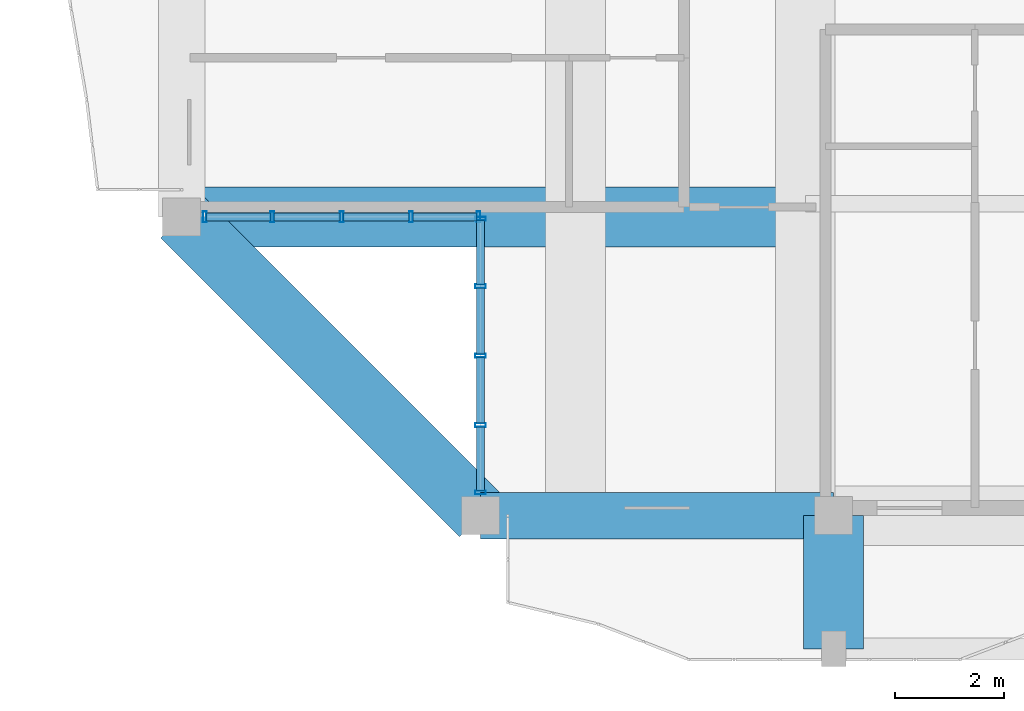
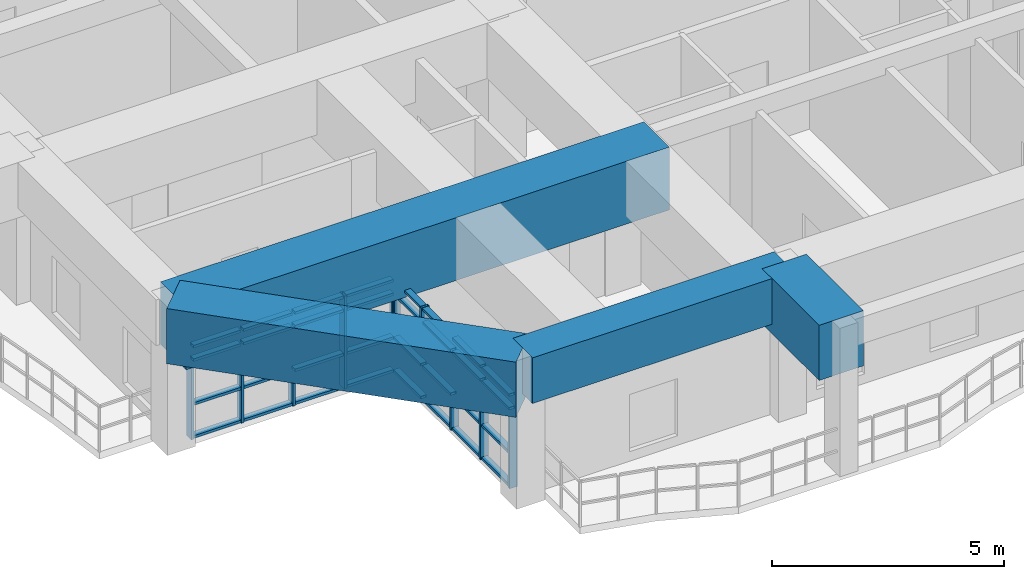
# One storey, part 2 of 22: 42 members, 4 beams, 2 elements without a shape of their own.
"""IFC4 building model written with IfcOpenShell, lengths in metres."""

from ifc_helpers import new_model, si_unit, direction, frame, origin, origin_2d, place, context, subcontext, project, spatial, rectangle, hollow_rectangle, extrude, source, transform, mapped, material, layer, layer_set, material_profile, profile_set, type_object, element, aggregate, save


model = new_model("IFC4")

# Units and contexts
model_context = context("Model", 3, precision=1e-05, world=origin(), true_north=direction((0.0, 1.0)))
body_context = subcontext(model_context, "Body", "Model", "MODEL_VIEW")
ifc_project = project(units=[si_unit("LENGTHUNIT", "METRE"), si_unit("AREAUNIT", "SQUARE_METRE"), si_unit("VOLUMEUNIT", "CUBIC_METRE"), si_unit("PLANEANGLEUNIT", "RADIAN"), si_unit("MASSUNIT", "GRAM", prefix="KILO")], contexts=[model_context])

# Site, building, storey
site_placement = place(None, origin())
site = spatial("IfcSite", under=ifc_project, at=site_placement, CompositionType="ELEMENT")
building_placement = place(site_placement, origin())
building = spatial("IfcBuilding", under=site, at=building_placement, Name="Saelheon Loggia Tower", CompositionType="ELEMENT")
storey_placement = place(building_placement, frame((0.0, 0.0, 216.300048828125)))
storey = spatial("IfcBuildingStorey", under=building, at=storey_placement, Name="L67", CompositionType="ELEMENT", Elevation=216.300048828125)

# Beams
ifc_material_1 = material(Name="Concrete C50/60", Category="concrete")
ifc_material_profile_1 = material_profile(ifc_material_1, rectangle(XDim=1.10009765625, YDim=1.449951171875, at=origin_2d()), Name="RC-1100x1450")
ifc_profile_set_1 = profile_set([ifc_material_profile_1], Name="Concrete C50/60")
beam_type_1 = type_object("IfcBeamType", Name="Beam_PerimTransfer_RC1100x1450", PredefinedType="BEAM", material=ifc_profile_set_1)
shared_shape_1 = source(origin(), body_context, "Body", "SweptSolid", [
    extrude(rectangle(XDim=1.10009765625, YDim=1.449951171875, at=origin_2d()), origin(), (0.0, 0.0, 1.0), 2.449951171875),
])
beam_1_placement = place(storey_placement, frame((31.5, 6.0, 3.175048828125), z_axis=(0.0, -1.0, 0.0), x_axis=(1.0, 0.0, 0.0)))
element("IfcBeam", 1, at=beam_1_placement, inside=storey, type_object=beam_type_1, Name="L67 Loggia Frame Tie Beam LP-S1", PredefinedType="BEAM", context=body_context, shape_type="MappedRepresentation", body=[
    mapped(shared_shape_1, transform((0.0, 0.0, 0.0), scale=1.0)),
])
ifc_material_profile_2 = material_profile(ifc_material_1, rectangle(XDim=0.85009765625, YDim=1.199951171875, at=origin_2d()), Name="RC-850x1200")
ifc_profile_set_2 = profile_set([ifc_material_profile_2], Name="Concrete C50/60")
beam_type_2 = type_object("IfcBeamType", Name="Beam_CornerShoulder_RC850x1200", PredefinedType="BEAM", material=ifc_profile_set_2)
shared_shape_2 = source(origin(), body_context, "Body", "SweptSolid", [
    extrude(rectangle(XDim=0.85009765625, YDim=1.199951171875, at=origin_2d()), origin(), (0.0, 0.0, 1.0), 6.5),
])
beam_2_placement = place(storey_placement, frame((25.0, 6.0, 3.300048828125), z_axis=(1.0, 0.0, 0.0), x_axis=(0.0, 1.0, 0.0)))
element("IfcBeam", 2, at=beam_2_placement, inside=storey, type_object=beam_type_2, Name="L67 Corner Shoulder Beam 01", PredefinedType="BEAM", context=body_context, shape_type="MappedRepresentation", body=[
    mapped(shared_shape_2, transform((0.0, 0.0, 0.0), scale=1.0)),
])
shared_shape_3 = source(origin(), body_context, "Body", "SweptSolid", [
    extrude(rectangle(XDim=1.10009765625, YDim=1.449951171875, at=origin_2d()), origin(), (0.0, 0.0, 1.0), 7.778076171875),
])
beam_3_placement = place(storey_placement, frame((19.5, 11.5, 3.175048828125), z_axis=(0.707106781187, -0.707106781187, 0.0), x_axis=(0.707106781187, 0.707106781187, 0.0)))
element("IfcBeam", 3, at=beam_3_placement, inside=storey, type_object=beam_type_1, Name="L67 Perimeter Frame Girder 16", PredefinedType="BEAM", context=body_context, shape_type="MappedRepresentation", body=[
    mapped(shared_shape_3, transform((0.0, 0.0, 0.0), scale=1.0)),
])
ifc_material_profile_3 = material_profile(ifc_material_1, rectangle(XDim=1.10009765625, YDim=1.64990234375, at=origin_2d()), Name="RC-1100x1650")
ifc_profile_set_3 = profile_set([ifc_material_profile_3], Name="Concrete C50/60")
beam_type_3 = type_object("IfcBeamType", Name="Beam_MegaTransfer_RC1100x1650", PredefinedType="BEAM", material=ifc_profile_set_3)
shared_shape_4 = source(origin(), body_context, "Body", "SweptSolid", [
    extrude(rectangle(XDim=1.10009765625, YDim=1.64990234375, at=origin_2d()), origin(), (0.0, 0.0, 1.0), 12.0),
])
beam_4_placement = place(storey_placement, frame((19.5, 11.5, 3.074951171875), z_axis=(1.0, 0.0, 0.0), x_axis=(0.0, 1.0, 0.0)))
element("IfcBeam", 4, at=beam_4_placement, inside=storey, type_object=beam_type_3, Name="TG-L67-SH-SW", PredefinedType="BEAM", context=body_context, shape_type="MappedRepresentation", body=[
    mapped(shared_shape_4, transform((0.0, 0.0, 0.0), scale=1.0)),
])

# Curtain wall, members
ifc_material_2 = material(Name="High-Wind Aluminium and Triple Laminated Glass", Category="aluminium")
ifc_layer = layer(ifc_material_2, 0.179931640625)
ifc_layer_set = layer_set([ifc_layer], Name="High-Wind Aluminium and Triple Laminated Glass")
curtain_wall_type = type_object("IfcCurtainWallType", Name="CW_TowerLoggiaHigh", PredefinedType="NOTDEFINED", material=ifc_layer_set)
curtain_wall_1_placement = place(storey_placement, origin())
curtain_wall_1 = element("IfcCurtainWall", 5, at=curtain_wall_1_placement, inside=storey, type_object=curtain_wall_type, Name="L67 Corner Notch Glazing SW1", PredefinedType="NOTDEFINED")
ifc_material_3 = material(Name="Anodised Aluminium 6063-T6", Category="aluminium")
ifc_material_profile_4 = material_profile(ifc_material_3, hollow_rectangle(XDim=0.070068359375, YDim=0.199951171875, WallThickness=0.0048828125, at=origin_2d()), Name="RHS-200x70x5")
ifc_profile_set_4 = profile_set([ifc_material_profile_4], Name="Anodised Aluminium 6063-T6")
member_type_1 = type_object("IfcMemberType", Name="CW_TowerLoggiaHigh_Mullion", PredefinedType="MULLION", material=ifc_profile_set_4)
shared_shape_5 = source(origin(), body_context, "Body", "SweptSolid", [
    extrude(hollow_rectangle(XDim=0.070068359375, YDim=0.199951171875, WallThickness=0.0048828125, at=origin_2d()), origin(), (0.0, 0.0, 1.0), 2.43994140625),
])
member_1_placement = place(storey_placement, frame((25.0, 6.425048828125, 0.0), z_axis=(0.0, 0.0, 1.0), x_axis=(0.0, 1.0, 0.0)))
member_1 = element("IfcMember", 6, at=member_1_placement, type_object=member_type_1, Name="CW4 mullion 1", PredefinedType="MULLION", context=body_context, shape_type="MappedRepresentation", body=[
    mapped(shared_shape_5, transform((0.0, 0.0, 0.0), scale=1.0)),
])
member_2_placement = place(storey_placement, frame((25.0, 7.66748046875, 0.0), z_axis=(0.0, 0.0, 1.0), x_axis=(0.0, 1.0, 0.0)))
member_2 = element("IfcMember", 7, at=member_2_placement, type_object=member_type_1, Name="CW4 mullion 2", PredefinedType="MULLION", context=body_context, shape_type="MappedRepresentation", body=[
    mapped(shared_shape_5, transform((0.0, 0.0, 0.0), scale=1.0)),
])
member_3_placement = place(storey_placement, frame((25.0, 8.945068359375, 0.0), z_axis=(0.0, 0.0, 1.0), x_axis=(0.0, 1.0, 0.0)))
member_3 = element("IfcMember", 8, at=member_3_placement, type_object=member_type_1, Name="CW4 mullion 3", PredefinedType="MULLION", context=body_context, shape_type="MappedRepresentation", body=[
    mapped(shared_shape_5, transform((0.0, 0.0, 0.0), scale=1.0)),
])
member_4_placement = place(storey_placement, frame((25.0, 10.222412109375, 0.0), z_axis=(0.0, 0.0, 1.0), x_axis=(0.0, 1.0, 0.0)))
member_4 = element("IfcMember", 9, at=member_4_placement, type_object=member_type_1, Name="CW4 mullion 4", PredefinedType="MULLION", context=body_context, shape_type="MappedRepresentation", body=[
    mapped(shared_shape_5, transform((0.0, 0.0, 0.0), scale=1.0)),
])
member_5_placement = place(storey_placement, frame((25.0, 11.465087890625, 0.0), z_axis=(0.0, 0.0, 1.0), x_axis=(0.0, 1.0, 0.0)))
member_5 = element("IfcMember", 10, at=member_5_placement, type_object=member_type_1, Name="CW4 mullion 5", PredefinedType="MULLION", context=body_context, shape_type="MappedRepresentation", body=[
    mapped(shared_shape_5, transform((0.0, 0.0, 0.0), scale=1.0)),
])

curtain_wall_2_placement = place(storey_placement, origin())
curtain_wall_2 = element("IfcCurtainWall", 11, at=curtain_wall_2_placement, inside=storey, type_object=curtain_wall_type, Name="L67 Corner Notch Glazing SW2", PredefinedType="NOTDEFINED")
member_6_placement = place(storey_placement, frame((19.925048828125, 11.5, 0.0), z_axis=(0.0, 0.0, 1.0), x_axis=(1.0, 0.0, 0.0)))
member_6 = element("IfcMember", 12, at=member_6_placement, type_object=member_type_1, Name="CW4 mullion 1", PredefinedType="MULLION", context=body_context, shape_type="MappedRepresentation", body=[
    mapped(shared_shape_5, transform((0.0, 0.0, 0.0), scale=1.0)),
])
member_7_placement = place(storey_placement, frame((21.16748046875, 11.5, 0.0), z_axis=(0.0, 0.0, 1.0), x_axis=(1.0, 0.0, 0.0)))
member_7 = element("IfcMember", 13, at=member_7_placement, type_object=member_type_1, Name="CW4 mullion 2", PredefinedType="MULLION", context=body_context, shape_type="MappedRepresentation", body=[
    mapped(shared_shape_5, transform((0.0, 0.0, 0.0), scale=1.0)),
])
member_8_placement = place(storey_placement, frame((22.445068359375, 11.5, 0.0), z_axis=(0.0, 0.0, 1.0), x_axis=(1.0, 0.0, 0.0)))
member_8 = element("IfcMember", 14, at=member_8_placement, type_object=member_type_1, Name="CW4 mullion 3", PredefinedType="MULLION", context=body_context, shape_type="MappedRepresentation", body=[
    mapped(shared_shape_5, transform((0.0, 0.0, 0.0), scale=1.0)),
])
member_9_placement = place(storey_placement, frame((23.722412109375, 11.5, 0.0), z_axis=(0.0, 0.0, 1.0), x_axis=(1.0, 0.0, 0.0)))
member_9 = element("IfcMember", 15, at=member_9_placement, type_object=member_type_1, Name="CW4 mullion 4", PredefinedType="MULLION", context=body_context, shape_type="MappedRepresentation", body=[
    mapped(shared_shape_5, transform((0.0, 0.0, 0.0), scale=1.0)),
])
member_10_placement = place(storey_placement, frame((24.965087890625, 11.5, 0.0), z_axis=(0.0, 0.0, 1.0), x_axis=(1.0, 0.0, 0.0)))
member_10 = element("IfcMember", 16, at=member_10_placement, type_object=member_type_1, Name="CW4 mullion 5", PredefinedType="MULLION", context=body_context, shape_type="MappedRepresentation", body=[
    mapped(shared_shape_5, transform((0.0, 0.0, 0.0), scale=1.0)),
])

# Member
ifc_material_profile_5 = material_profile(ifc_material_3, hollow_rectangle(XDim=0.070068359375, YDim=0.14990234375, WallThickness=0.0048828125, at=origin_2d()), Name="RHS-150x70x5")
ifc_profile_set_5 = profile_set([ifc_material_profile_5], Name="Anodised Aluminium 6063-T6")
member_type_2 = type_object("IfcMemberType", Name="CW_TowerLoggiaHigh_Transom", PredefinedType="USERDEFINED", material=ifc_profile_set_5)
shared_shape_6 = source(origin(), body_context, "Body", "SweptSolid", [
    extrude(hollow_rectangle(XDim=0.070068359375, YDim=0.14990234375, WallThickness=0.0048828125, at=origin_2d()), origin(), (0.0, 0.0, 1.0), 1.172607421875),
])
member_11_placement = place(storey_placement, frame((25.0, 6.4599609375, 0.034912109375), z_axis=(0.0, 1.0, 0.0), x_axis=(0.0, 0.0, 1.0)))
member_11 = element("IfcMember", 17, at=member_11_placement, type_object=member_type_2, Name="CW4 transom 1.1", ObjectType="TRANSOM", PredefinedType="USERDEFINED", context=body_context, shape_type="MappedRepresentation", body=[
    mapped(shared_shape_6, transform((0.0, 0.0, 0.0), scale=1.0)),
])

member_12_placement = place(storey_placement, frame((25.0, 6.4599609375, 0.89990234375), z_axis=(0.0, 1.0, 0.0), x_axis=(0.0, 0.0, 1.0)))
member_12 = element("IfcMember", 18, at=member_12_placement, type_object=member_type_2, Name="CW4 transom 1.2", ObjectType="TRANSOM", PredefinedType="USERDEFINED", context=body_context, shape_type="MappedRepresentation", body=[
    mapped(shared_shape_6, transform((0.0, 0.0, 0.0), scale=1.0)),
])

member_13_placement = place(storey_placement, frame((25.0, 6.4599609375, 2.050048828125), z_axis=(0.0, 1.0, 0.0), x_axis=(0.0, 0.0, 1.0)))
member_13 = element("IfcMember", 19, at=member_13_placement, type_object=member_type_2, Name="CW4 transom 1.3", ObjectType="TRANSOM", PredefinedType="USERDEFINED", context=body_context, shape_type="MappedRepresentation", body=[
    mapped(shared_shape_6, transform((0.0, 0.0, 0.0), scale=1.0)),
])

member_14_placement = place(storey_placement, frame((25.0, 6.4599609375, 2.405029296875), z_axis=(0.0, 1.0, 0.0), x_axis=(0.0, 0.0, 1.0)))
member_14 = element("IfcMember", 20, at=member_14_placement, type_object=member_type_2, Name="CW4 transom 1.4", ObjectType="TRANSOM", PredefinedType="USERDEFINED", context=body_context, shape_type="MappedRepresentation", body=[
    mapped(shared_shape_6, transform((0.0, 0.0, 0.0), scale=1.0)),
])

member_15_placement = place(storey_placement, frame((19.9599609375, 11.5, 0.034912109375), z_axis=(1.0, 0.0, 0.0), x_axis=(0.0, 0.0, 1.0)))
member_15 = element("IfcMember", 21, at=member_15_placement, type_object=member_type_2, Name="CW4 transom 1.1", ObjectType="TRANSOM", PredefinedType="USERDEFINED", context=body_context, shape_type="MappedRepresentation", body=[
    mapped(shared_shape_6, transform((0.0, 0.0, 0.0), scale=1.0)),
])

member_16_placement = place(storey_placement, frame((19.9599609375, 11.5, 0.89990234375), z_axis=(1.0, 0.0, 0.0), x_axis=(0.0, 0.0, 1.0)))
member_16 = element("IfcMember", 22, at=member_16_placement, type_object=member_type_2, Name="CW4 transom 1.2", ObjectType="TRANSOM", PredefinedType="USERDEFINED", context=body_context, shape_type="MappedRepresentation", body=[
    mapped(shared_shape_6, transform((0.0, 0.0, 0.0), scale=1.0)),
])

member_17_placement = place(storey_placement, frame((19.9599609375, 11.5, 2.050048828125), z_axis=(1.0, 0.0, 0.0), x_axis=(0.0, 0.0, 1.0)))
member_17 = element("IfcMember", 23, at=member_17_placement, type_object=member_type_2, Name="CW4 transom 1.3", ObjectType="TRANSOM", PredefinedType="USERDEFINED", context=body_context, shape_type="MappedRepresentation", body=[
    mapped(shared_shape_6, transform((0.0, 0.0, 0.0), scale=1.0)),
])

member_18_placement = place(storey_placement, frame((19.9599609375, 11.5, 2.405029296875), z_axis=(1.0, 0.0, 0.0), x_axis=(0.0, 0.0, 1.0)))
member_18 = element("IfcMember", 24, at=member_18_placement, type_object=member_type_2, Name="CW4 transom 1.4", ObjectType="TRANSOM", PredefinedType="USERDEFINED", context=body_context, shape_type="MappedRepresentation", body=[
    mapped(shared_shape_6, transform((0.0, 0.0, 0.0), scale=1.0)),
])

shared_shape_7 = source(origin(), body_context, "Body", "SweptSolid", [
    extrude(hollow_rectangle(XDim=0.070068359375, YDim=0.14990234375, WallThickness=0.0048828125, at=origin_2d()), origin(), (0.0, 0.0, 1.0), 1.20751953125),
])
member_19_placement = place(storey_placement, frame((25.0, 7.702392578125, 0.034912109375), z_axis=(0.0, 1.0, 0.0), x_axis=(0.0, 0.0, 1.0)))
member_19 = element("IfcMember", 25, at=member_19_placement, type_object=member_type_2, Name="CW4 transom 2.1", ObjectType="TRANSOM", PredefinedType="USERDEFINED", context=body_context, shape_type="MappedRepresentation", body=[
    mapped(shared_shape_7, transform((0.0, 0.0, 0.0), scale=1.0)),
])

member_20_placement = place(storey_placement, frame((25.0, 7.702392578125, 0.89990234375), z_axis=(0.0, 1.0, 0.0), x_axis=(0.0, 0.0, 1.0)))
member_20 = element("IfcMember", 26, at=member_20_placement, type_object=member_type_2, Name="CW4 transom 2.2", ObjectType="TRANSOM", PredefinedType="USERDEFINED", context=body_context, shape_type="MappedRepresentation", body=[
    mapped(shared_shape_7, transform((0.0, 0.0, 0.0), scale=1.0)),
])

member_21_placement = place(storey_placement, frame((25.0, 7.702392578125, 2.050048828125), z_axis=(0.0, 1.0, 0.0), x_axis=(0.0, 0.0, 1.0)))
member_21 = element("IfcMember", 27, at=member_21_placement, type_object=member_type_2, Name="CW4 transom 2.3", ObjectType="TRANSOM", PredefinedType="USERDEFINED", context=body_context, shape_type="MappedRepresentation", body=[
    mapped(shared_shape_7, transform((0.0, 0.0, 0.0), scale=1.0)),
])

member_22_placement = place(storey_placement, frame((25.0, 7.702392578125, 2.405029296875), z_axis=(0.0, 1.0, 0.0), x_axis=(0.0, 0.0, 1.0)))
member_22 = element("IfcMember", 28, at=member_22_placement, type_object=member_type_2, Name="CW4 transom 2.4", ObjectType="TRANSOM", PredefinedType="USERDEFINED", context=body_context, shape_type="MappedRepresentation", body=[
    mapped(shared_shape_7, transform((0.0, 0.0, 0.0), scale=1.0)),
])

member_23_placement = place(storey_placement, frame((25.0, 8.97998046875, 0.034912109375), z_axis=(0.0, 1.0, 0.0), x_axis=(0.0, 0.0, 1.0)))
member_23 = element("IfcMember", 29, at=member_23_placement, type_object=member_type_2, Name="CW4 transom 3.1", ObjectType="TRANSOM", PredefinedType="USERDEFINED", context=body_context, shape_type="MappedRepresentation", body=[
    mapped(shared_shape_7, transform((0.0, 0.0, 0.0), scale=1.0)),
])

member_24_placement = place(storey_placement, frame((25.0, 8.97998046875, 0.89990234375), z_axis=(0.0, 1.0, 0.0), x_axis=(0.0, 0.0, 1.0)))
member_24 = element("IfcMember", 30, at=member_24_placement, type_object=member_type_2, Name="CW4 transom 3.2", ObjectType="TRANSOM", PredefinedType="USERDEFINED", context=body_context, shape_type="MappedRepresentation", body=[
    mapped(shared_shape_7, transform((0.0, 0.0, 0.0), scale=1.0)),
])

member_25_placement = place(storey_placement, frame((25.0, 8.97998046875, 2.050048828125), z_axis=(0.0, 1.0, 0.0), x_axis=(0.0, 0.0, 1.0)))
member_25 = element("IfcMember", 31, at=member_25_placement, type_object=member_type_2, Name="CW4 transom 3.3", ObjectType="TRANSOM", PredefinedType="USERDEFINED", context=body_context, shape_type="MappedRepresentation", body=[
    mapped(shared_shape_7, transform((0.0, 0.0, 0.0), scale=1.0)),
])

member_26_placement = place(storey_placement, frame((25.0, 8.97998046875, 2.405029296875), z_axis=(0.0, 1.0, 0.0), x_axis=(0.0, 0.0, 1.0)))
member_26 = element("IfcMember", 32, at=member_26_placement, type_object=member_type_2, Name="CW4 transom 3.4", ObjectType="TRANSOM", PredefinedType="USERDEFINED", context=body_context, shape_type="MappedRepresentation", body=[
    mapped(shared_shape_7, transform((0.0, 0.0, 0.0), scale=1.0)),
])

member_27_placement = place(storey_placement, frame((21.202392578125, 11.5, 0.034912109375), z_axis=(1.0, 0.0, 0.0), x_axis=(0.0, 0.0, 1.0)))
member_27 = element("IfcMember", 33, at=member_27_placement, type_object=member_type_2, Name="CW4 transom 2.1", ObjectType="TRANSOM", PredefinedType="USERDEFINED", context=body_context, shape_type="MappedRepresentation", body=[
    mapped(shared_shape_7, transform((0.0, 0.0, 0.0), scale=1.0)),
])

member_28_placement = place(storey_placement, frame((21.202392578125, 11.5, 0.89990234375), z_axis=(1.0, 0.0, 0.0), x_axis=(0.0, 0.0, 1.0)))
member_28 = element("IfcMember", 34, at=member_28_placement, type_object=member_type_2, Name="CW4 transom 2.2", ObjectType="TRANSOM", PredefinedType="USERDEFINED", context=body_context, shape_type="MappedRepresentation", body=[
    mapped(shared_shape_7, transform((0.0, 0.0, 0.0), scale=1.0)),
])

member_29_placement = place(storey_placement, frame((21.202392578125, 11.5, 2.050048828125), z_axis=(1.0, 0.0, 0.0), x_axis=(0.0, 0.0, 1.0)))
member_29 = element("IfcMember", 35, at=member_29_placement, type_object=member_type_2, Name="CW4 transom 2.3", ObjectType="TRANSOM", PredefinedType="USERDEFINED", context=body_context, shape_type="MappedRepresentation", body=[
    mapped(shared_shape_7, transform((0.0, 0.0, 0.0), scale=1.0)),
])

member_30_placement = place(storey_placement, frame((21.202392578125, 11.5, 2.405029296875), z_axis=(1.0, 0.0, 0.0), x_axis=(0.0, 0.0, 1.0)))
member_30 = element("IfcMember", 36, at=member_30_placement, type_object=member_type_2, Name="CW4 transom 2.4", ObjectType="TRANSOM", PredefinedType="USERDEFINED", context=body_context, shape_type="MappedRepresentation", body=[
    mapped(shared_shape_7, transform((0.0, 0.0, 0.0), scale=1.0)),
])

member_31_placement = place(storey_placement, frame((22.47998046875, 11.5, 0.034912109375), z_axis=(1.0, 0.0, 0.0), x_axis=(0.0, 0.0, 1.0)))
member_31 = element("IfcMember", 37, at=member_31_placement, type_object=member_type_2, Name="CW4 transom 3.1", ObjectType="TRANSOM", PredefinedType="USERDEFINED", context=body_context, shape_type="MappedRepresentation", body=[
    mapped(shared_shape_7, transform((0.0, 0.0, 0.0), scale=1.0)),
])

member_32_placement = place(storey_placement, frame((22.47998046875, 11.5, 0.89990234375), z_axis=(1.0, 0.0, 0.0), x_axis=(0.0, 0.0, 1.0)))
member_32 = element("IfcMember", 38, at=member_32_placement, type_object=member_type_2, Name="CW4 transom 3.2", ObjectType="TRANSOM", PredefinedType="USERDEFINED", context=body_context, shape_type="MappedRepresentation", body=[
    mapped(shared_shape_7, transform((0.0, 0.0, 0.0), scale=1.0)),
])

member_33_placement = place(storey_placement, frame((22.47998046875, 11.5, 2.050048828125), z_axis=(1.0, 0.0, 0.0), x_axis=(0.0, 0.0, 1.0)))
member_33 = element("IfcMember", 39, at=member_33_placement, type_object=member_type_2, Name="CW4 transom 3.3", ObjectType="TRANSOM", PredefinedType="USERDEFINED", context=body_context, shape_type="MappedRepresentation", body=[
    mapped(shared_shape_7, transform((0.0, 0.0, 0.0), scale=1.0)),
])

member_34_placement = place(storey_placement, frame((22.47998046875, 11.5, 2.405029296875), z_axis=(1.0, 0.0, 0.0), x_axis=(0.0, 0.0, 1.0)))
member_34 = element("IfcMember", 40, at=member_34_placement, type_object=member_type_2, Name="CW4 transom 3.4", ObjectType="TRANSOM", PredefinedType="USERDEFINED", context=body_context, shape_type="MappedRepresentation", body=[
    mapped(shared_shape_7, transform((0.0, 0.0, 0.0), scale=1.0)),
])

shared_shape_8 = source(origin(), body_context, "Body", "SweptSolid", [
    extrude(hollow_rectangle(XDim=0.070068359375, YDim=0.14990234375, WallThickness=0.0048828125, at=origin_2d()), origin(), (0.0, 0.0, 1.0), 1.17236328125),
])
member_35_placement = place(storey_placement, frame((25.0, 10.257568359375, 0.034912109375), z_axis=(0.0, 1.0, 0.0), x_axis=(0.0, 0.0, 1.0)))
member_35 = element("IfcMember", 41, at=member_35_placement, type_object=member_type_2, Name="CW4 transom 4.1", ObjectType="TRANSOM", PredefinedType="USERDEFINED", context=body_context, shape_type="MappedRepresentation", body=[
    mapped(shared_shape_8, transform((0.0, 0.0, 0.0), scale=1.0)),
])

member_36_placement = place(storey_placement, frame((25.0, 10.257568359375, 0.89990234375), z_axis=(0.0, 1.0, 0.0), x_axis=(0.0, 0.0, 1.0)))
member_36 = element("IfcMember", 42, at=member_36_placement, type_object=member_type_2, Name="CW4 transom 4.2", ObjectType="TRANSOM", PredefinedType="USERDEFINED", context=body_context, shape_type="MappedRepresentation", body=[
    mapped(shared_shape_8, transform((0.0, 0.0, 0.0), scale=1.0)),
])

member_37_placement = place(storey_placement, frame((25.0, 10.257568359375, 2.050048828125), z_axis=(0.0, 1.0, 0.0), x_axis=(0.0, 0.0, 1.0)))
member_37 = element("IfcMember", 43, at=member_37_placement, type_object=member_type_2, Name="CW4 transom 4.3", ObjectType="TRANSOM", PredefinedType="USERDEFINED", context=body_context, shape_type="MappedRepresentation", body=[
    mapped(shared_shape_8, transform((0.0, 0.0, 0.0), scale=1.0)),
])

member_38_placement = place(storey_placement, frame((25.0, 10.257568359375, 2.405029296875), z_axis=(0.0, 1.0, 0.0), x_axis=(0.0, 0.0, 1.0)))
member_38 = element("IfcMember", 44, at=member_38_placement, type_object=member_type_2, Name="CW4 transom 4.4", ObjectType="TRANSOM", PredefinedType="USERDEFINED", context=body_context, shape_type="MappedRepresentation", body=[
    mapped(shared_shape_8, transform((0.0, 0.0, 0.0), scale=1.0)),
])

aggregate(curtain_wall_1, [member_1, member_2, member_3, member_4, member_5, member_11, member_12, member_13, member_14, member_19, member_20, member_21, member_22, member_23, member_24, member_25, member_26, member_35, member_36, member_37, member_38])

member_39_placement = place(storey_placement, frame((23.757568359375, 11.5, 0.034912109375), z_axis=(1.0, 0.0, 0.0), x_axis=(0.0, 0.0, 1.0)))
member_39 = element("IfcMember", 45, at=member_39_placement, type_object=member_type_2, Name="CW4 transom 4.1", ObjectType="TRANSOM", PredefinedType="USERDEFINED", context=body_context, shape_type="MappedRepresentation", body=[
    mapped(shared_shape_8, transform((0.0, 0.0, 0.0), scale=1.0)),
])

member_40_placement = place(storey_placement, frame((23.757568359375, 11.5, 0.89990234375), z_axis=(1.0, 0.0, 0.0), x_axis=(0.0, 0.0, 1.0)))
member_40 = element("IfcMember", 46, at=member_40_placement, type_object=member_type_2, Name="CW4 transom 4.2", ObjectType="TRANSOM", PredefinedType="USERDEFINED", context=body_context, shape_type="MappedRepresentation", body=[
    mapped(shared_shape_8, transform((0.0, 0.0, 0.0), scale=1.0)),
])

member_41_placement = place(storey_placement, frame((23.757568359375, 11.5, 2.050048828125), z_axis=(1.0, 0.0, 0.0), x_axis=(0.0, 0.0, 1.0)))
member_41 = element("IfcMember", 47, at=member_41_placement, type_object=member_type_2, Name="CW4 transom 4.3", ObjectType="TRANSOM", PredefinedType="USERDEFINED", context=body_context, shape_type="MappedRepresentation", body=[
    mapped(shared_shape_8, transform((0.0, 0.0, 0.0), scale=1.0)),
])

member_42_placement = place(storey_placement, frame((23.757568359375, 11.5, 2.405029296875), z_axis=(1.0, 0.0, 0.0), x_axis=(0.0, 0.0, 1.0)))
member_42 = element("IfcMember", 48, at=member_42_placement, type_object=member_type_2, Name="CW4 transom 4.4", ObjectType="TRANSOM", PredefinedType="USERDEFINED", context=body_context, shape_type="MappedRepresentation", body=[
    mapped(shared_shape_8, transform((0.0, 0.0, 0.0), scale=1.0)),
])

aggregate(curtain_wall_2, [member_6, member_7, member_8, member_9, member_10, member_15, member_16, member_17, member_18, member_27, member_28, member_29, member_30, member_31, member_32, member_33, member_34, member_39, member_40, member_41, member_42])

save(model, "model.ifc")
